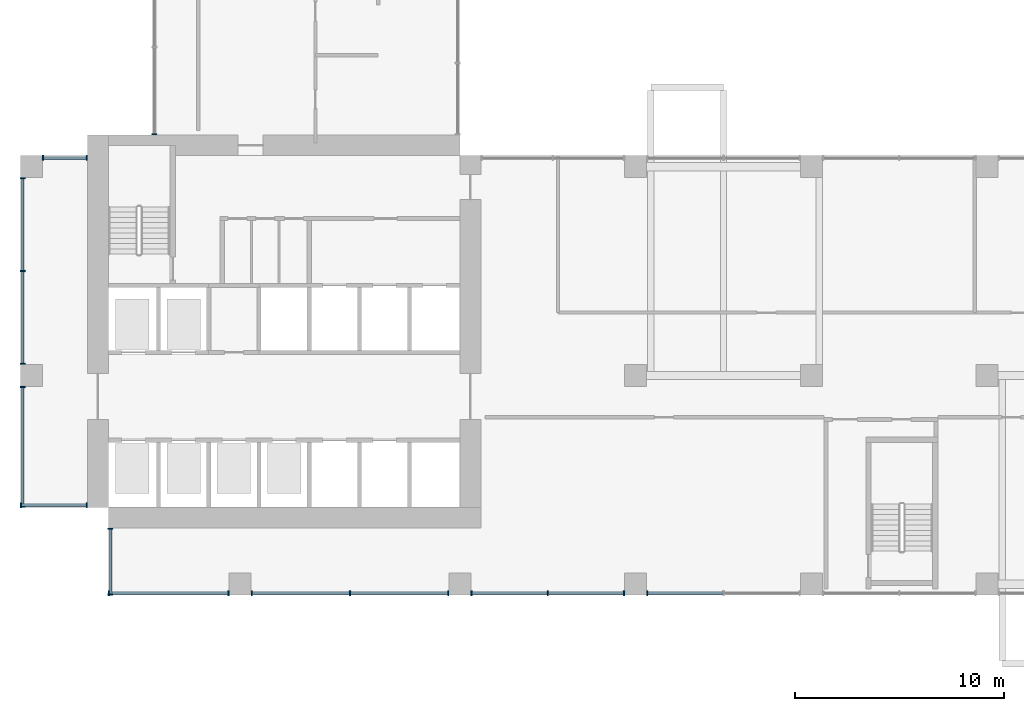
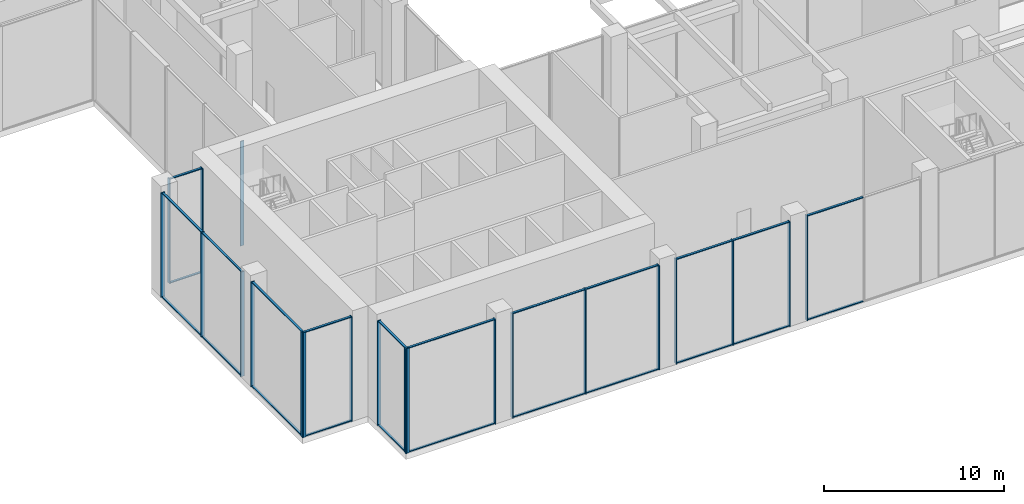
# One storey, part 2 of 18: 45 members, 10 elements without a shape of their own.
"""IFC4 building model written with IfcOpenShell, lengths in metres."""

from ifc_helpers import new_model, si_unit, direction, frame, origin, origin_2d, place, context, subcontext, project, spatial, rectangle, extrude, source, transform, mapped, material, layer, layer_set, material_profile, profile_set, type_object, element, aggregate, save


model = new_model("IFC4")

# Units and contexts
model_context = context("Model", 3, precision=1e-05, world=origin(), true_north=direction((0.0, 1.0)))
body_context = subcontext(model_context, "Body", "Model", "MODEL_VIEW")
ifc_project = project(units=[si_unit("LENGTHUNIT", "METRE"), si_unit("AREAUNIT", "SQUARE_METRE"), si_unit("VOLUMEUNIT", "CUBIC_METRE"), si_unit("PLANEANGLEUNIT", "RADIAN"), si_unit("MASSUNIT", "GRAM", prefix="KILO")], contexts=[model_context])

# Site, building, storey
site_placement = place(None, origin())
site = spatial("IfcSite", under=ifc_project, at=site_placement, CompositionType="ELEMENT")
building_placement = place(site_placement, origin())
building = spatial("IfcBuilding", under=site, at=building_placement, Name="Aurelian Terraces", CompositionType="ELEMENT")
storey_placement = place(building_placement, frame((0.0, 0.0, 170.3)))
storey = spatial("IfcBuildingStorey", under=building, at=storey_placement, Name="L37", CompositionType="ELEMENT", Elevation=170.3)

# Curtain wall, members
ifc_material_1 = material(Name="Anodised aluminium and clear glazing", Category="aluminium")
ifc_layer = layer(ifc_material_1, 0.2)
ifc_layer_set = layer_set([ifc_layer], Name="Lobby glazing curtain wall")
curtain_wall_type = type_object("IfcCurtainWallType", Name="Lobby glazing curtain wall", PredefinedType="NOTDEFINED", material=ifc_layer_set)
curtain_wall_1_placement = place(storey_placement, origin())
curtain_wall_1 = element("IfcCurtainWall", 1, at=curtain_wall_1_placement, inside=storey, type_object=curtain_wall_type, Name="Lobby glazing L37 F01.1", PredefinedType="NOTDEFINED")
ifc_material_2 = material(Name="Anodised aluminium", Category="aluminium")
ifc_material_profile_1 = material_profile(ifc_material_2, rectangle(XDim=0.24, YDim=0.06, at=origin_2d()))
ifc_profile_set_1 = profile_set([ifc_material_profile_1], Name="Anodised aluminium")
member_type_1 = type_object("IfcMemberType", Name="Lobby glazing mullion", PredefinedType="MULLION", material=ifc_profile_set_1)
member_1_placement = place(storey_placement, frame((4.23, 0.1, 0.0), z_axis=(0.0, 0.0, 1.0), x_axis=(0.0, 1.0, 0.0)))
member_1 = element("IfcMember", 2, at=member_1_placement, type_object=member_type_1, Name="CW2 mullion 1", PredefinedType="MULLION", context=body_context, shape_type="SweptSolid", body=[
    extrude(rectangle(XDim=0.24, YDim=0.06, at=origin_2d()), origin(), (0.0, 0.0, 1.0), 7.1),
])
ifc_material_profile_2 = material_profile(ifc_material_2, rectangle(XDim=0.14, YDim=0.06, at=origin_2d()))
ifc_profile_set_2 = profile_set([ifc_material_profile_2], Name="Anodised aluminium")
member_type_2 = type_object("IfcMemberType", Name="Lobby glazing transom", PredefinedType="USERDEFINED", material=ifc_profile_set_2)
member_2_placement = place(storey_placement, frame((4.26, 0.1, 0.03), z_axis=(1.0, 0.0, 0.0), x_axis=(0.0, 1.0, 0.0)))
member_2 = element("IfcMember", 3, at=member_2_placement, type_object=member_type_2, Name="CW2 transom 1.1", ObjectType="TRANSOM", PredefinedType="USERDEFINED", context=body_context, shape_type="SweptSolid", body=[
    extrude(rectangle(XDim=0.14, YDim=0.06, at=origin_2d()), origin(), (0.0, 0.0, 1.0), 5.655),
])

# Curtain wall, member
curtain_wall_2_placement = place(storey_placement, origin())
curtain_wall_2 = element("IfcCurtainWall", 4, at=curtain_wall_2_placement, inside=storey, type_object=curtain_wall_type, Name="Lobby glazing L37 F01.2", PredefinedType="NOTDEFINED")
member_3_placement = place(storey_placement, frame((11.085, 0.1, 0.03), z_axis=(1.0, 0.0, 0.0), x_axis=(0.0, 1.0, 0.0)))
member_3 = element("IfcMember", 5, at=member_3_placement, type_object=member_type_2, Name="CW2 transom 1.1", ObjectType="TRANSOM", PredefinedType="USERDEFINED", context=body_context, shape_type="SweptSolid", body=[
    extrude(rectangle(XDim=0.14, YDim=0.06, at=origin_2d()), origin(), (0.0, 0.0, 1.0), 4.635),
])

curtain_wall_3_placement = place(storey_placement, origin())
curtain_wall_3 = element("IfcCurtainWall", 6, at=curtain_wall_3_placement, inside=storey, type_object=curtain_wall_type, Name="Lobby glazing L37 F01.3", PredefinedType="NOTDEFINED")
member_4_placement = place(storey_placement, frame((21.585, 0.1, 0.03), z_axis=(1.0, 0.0, 0.0), x_axis=(0.0, 1.0, 0.0)))
member_4 = element("IfcMember", 7, at=member_4_placement, type_object=member_type_2, Name="CW2 transom 1.1", ObjectType="TRANSOM", PredefinedType="USERDEFINED", context=body_context, shape_type="SweptSolid", body=[
    extrude(rectangle(XDim=0.14, YDim=0.06, at=origin_2d()), origin(), (0.0, 0.0, 1.0), 3.585),
])

curtain_wall_4_placement = place(storey_placement, origin())
curtain_wall_4 = element("IfcCurtainWall", 8, at=curtain_wall_4_placement, inside=storey, type_object=curtain_wall_type, Name="Lobby glazing L37 F21.1", PredefinedType="NOTDEFINED")
member_5_placement = place(storey_placement, frame((3.14, 20.9, 0.03), z_axis=(-1.0, 0.0, 0.0), x_axis=(0.0, -1.0, 0.0)))
member_5 = element("IfcMember", 9, at=member_5_placement, type_object=member_type_2, Name="CW2 transom 1.1", ObjectType="TRANSOM", PredefinedType="USERDEFINED", context=body_context, shape_type="SweptSolid", body=[
    extrude(rectangle(XDim=0.14, YDim=0.06, at=origin_2d()), origin(), (0.0, 0.0, 1.0), 2.03),
])

curtain_wall_5_placement = place(storey_placement, origin())
curtain_wall_5 = element("IfcCurtainWall", 10, at=curtain_wall_5_placement, inside=storey, type_object=curtain_wall_type, Name="Lobby glazing L37 F22.1", PredefinedType="NOTDEFINED")
member_6_placement = place(storey_placement, frame((0.1, 19.89, 0.03), z_axis=(0.0, -1.0, 0.0), x_axis=(1.0, 0.0, 0.0)))
member_6 = element("IfcMember", 11, at=member_6_placement, type_object=member_type_2, Name="CW2 transom 1.1", ObjectType="TRANSOM", PredefinedType="USERDEFINED", context=body_context, shape_type="SweptSolid", body=[
    extrude(rectangle(XDim=0.14, YDim=0.06, at=origin_2d()), origin(), (0.0, 0.0, 1.0), 4.3725),
])

curtain_wall_6_placement = place(storey_placement, origin())
curtain_wall_6 = element("IfcCurtainWall", 12, at=curtain_wall_6_placement, inside=storey, type_object=curtain_wall_type, Name="Lobby glazing L37 F23.1", PredefinedType="NOTDEFINED")
member_7_placement = place(storey_placement, frame((0.06, 4.3, 0.03), z_axis=(1.0, 0.0, 0.0), x_axis=(0.0, 1.0, 0.0)))
member_7 = element("IfcMember", 13, at=member_7_placement, type_object=member_type_2, Name="CW2 transom 1.1", ObjectType="TRANSOM", PredefinedType="USERDEFINED", context=body_context, shape_type="SweptSolid", body=[
    extrude(rectangle(XDim=0.14, YDim=0.06, at=origin_2d()), origin(), (0.0, 0.0, 1.0), 3.08),
])

# Member
shared_shape_1 = source(origin(), body_context, "Body", "SweptSolid", [
    extrude(rectangle(XDim=0.24, YDim=0.06, at=origin_2d()), origin(), (0.0, 0.0, 1.0), 7.1),
])
member_8_placement = place(storey_placement, frame((9.945, 0.1, 0.0), z_axis=(0.0, 0.0, 1.0), x_axis=(0.0, 1.0, 0.0)))
member_8 = element("IfcMember", 14, at=member_8_placement, type_object=member_type_1, Name="CW2 mullion 2", PredefinedType="MULLION", context=body_context, shape_type="MappedRepresentation", body=[
    mapped(shared_shape_1, transform((0.0, 0.0, 0.0), scale=1.0)),
])

member_9_placement = place(storey_placement, frame((11.055, 0.1, 0.0), z_axis=(0.0, 0.0, 1.0), x_axis=(0.0, 1.0, 0.0)))
member_9 = element("IfcMember", 15, at=member_9_placement, type_object=member_type_1, Name="CW2 mullion 1", PredefinedType="MULLION", context=body_context, shape_type="MappedRepresentation", body=[
    mapped(shared_shape_1, transform((0.0, 0.0, 0.0), scale=1.0)),
])

member_10_placement = place(storey_placement, frame((15.75, 0.1, 0.0), z_axis=(0.0, 0.0, 1.0), x_axis=(0.0, 1.0, 0.0)))
member_10 = element("IfcMember", 16, at=member_10_placement, type_object=member_type_1, Name="CW2 mullion 2", PredefinedType="MULLION", context=body_context, shape_type="MappedRepresentation", body=[
    mapped(shared_shape_1, transform((0.0, 0.0, 0.0), scale=1.0)),
])

member_11_placement = place(storey_placement, frame((20.445, 0.1, 0.0), z_axis=(0.0, 0.0, 1.0), x_axis=(0.0, 1.0, 0.0)))
member_11 = element("IfcMember", 17, at=member_11_placement, type_object=member_type_1, Name="CW2 mullion 3", PredefinedType="MULLION", context=body_context, shape_type="MappedRepresentation", body=[
    mapped(shared_shape_1, transform((0.0, 0.0, 0.0), scale=1.0)),
])

member_12_placement = place(storey_placement, frame((21.555, 0.1, 0.0), z_axis=(0.0, 0.0, 1.0), x_axis=(0.0, 1.0, 0.0)))
member_12 = element("IfcMember", 18, at=member_12_placement, type_object=member_type_1, Name="CW2 mullion 1", PredefinedType="MULLION", context=body_context, shape_type="MappedRepresentation", body=[
    mapped(shared_shape_1, transform((0.0, 0.0, 0.0), scale=1.0)),
])

member_13_placement = place(storey_placement, frame((25.2, 0.1, 0.0), z_axis=(0.0, 0.0, 1.0), x_axis=(0.0, 1.0, 0.0)))
member_13 = element("IfcMember", 19, at=member_13_placement, type_object=member_type_1, Name="CW2 mullion 2", PredefinedType="MULLION", context=body_context, shape_type="MappedRepresentation", body=[
    mapped(shared_shape_1, transform((0.0, 0.0, 0.0), scale=1.0)),
])

member_14_placement = place(storey_placement, frame((28.845, 0.1, 0.0), z_axis=(0.0, 0.0, 1.0), x_axis=(0.0, 1.0, 0.0)))
member_14 = element("IfcMember", 20, at=member_14_placement, type_object=member_type_1, Name="CW2 mullion 3", PredefinedType="MULLION", context=body_context, shape_type="MappedRepresentation", body=[
    mapped(shared_shape_1, transform((0.0, 0.0, 0.0), scale=1.0)),
])

# Curtain wall, member
curtain_wall_7_placement = place(storey_placement, origin())
curtain_wall_7 = element("IfcCurtainWall", 21, at=curtain_wall_7_placement, inside=storey, type_object=curtain_wall_type, Name="Lobby glazing L37 F01.4", PredefinedType="NOTDEFINED")
member_15_placement = place(storey_placement, frame((29.955, 0.1, 0.0), z_axis=(0.0, 0.0, 1.0), x_axis=(0.0, 1.0, 0.0)))
member_15 = element("IfcMember", 22, at=member_15_placement, type_object=member_type_1, Name="CW2 mullion 1", PredefinedType="MULLION", context=body_context, shape_type="MappedRepresentation", body=[
    mapped(shared_shape_1, transform((0.0, 0.0, 0.0), scale=1.0)),
])

curtain_wall_8_placement = place(storey_placement, origin())
curtain_wall_8 = element("IfcCurtainWall", 23, at=curtain_wall_8_placement, inside=storey, type_object=curtain_wall_type, Name="Lobby glazing L37 F18.3", PredefinedType="NOTDEFINED")
member_16_placement = place(storey_placement, frame((6.4, 22.03, 0.0), z_axis=(0.0, 0.0, 1.0), x_axis=(1.0, 0.0, 0.0)))
member_16 = element("IfcMember", 24, at=member_16_placement, type_object=member_type_1, Name="CW2 mullion 3", PredefinedType="MULLION", context=body_context, shape_type="MappedRepresentation", body=[
    mapped(shared_shape_1, transform((0.0, 0.0, 0.0), scale=1.0)),
])
aggregate(curtain_wall_8, [member_16])

# Member
member_17_placement = place(storey_placement, frame((3.17, 20.9, 0.0), z_axis=(0.0, 0.0, 1.0), x_axis=(0.0, -1.0, 0.0)))
member_17 = element("IfcMember", 25, at=member_17_placement, type_object=member_type_1, Name="CW2 mullion 1", PredefinedType="MULLION", context=body_context, shape_type="MappedRepresentation", body=[
    mapped(shared_shape_1, transform((0.0, 0.0, 0.0), scale=1.0)),
])

member_18_placement = place(storey_placement, frame((1.08, 20.9, 0.0), z_axis=(0.0, 0.0, 1.0), x_axis=(0.0, -1.0, 0.0)))
member_18 = element("IfcMember", 26, at=member_18_placement, type_object=member_type_1, Name="CW2 mullion 2", PredefinedType="MULLION", context=body_context, shape_type="MappedRepresentation", body=[
    mapped(shared_shape_1, transform((0.0, 0.0, 0.0), scale=1.0)),
])

member_19_placement = place(storey_placement, frame((0.1, 19.92, 0.0), z_axis=(0.0, 0.0, 1.0), x_axis=(1.0, 0.0, 0.0)))
member_19 = element("IfcMember", 27, at=member_19_placement, type_object=member_type_1, Name="CW2 mullion 1", PredefinedType="MULLION", context=body_context, shape_type="MappedRepresentation", body=[
    mapped(shared_shape_1, transform((0.0, 0.0, 0.0), scale=1.0)),
])

member_20_placement = place(storey_placement, frame((0.1, 15.4875, 0.0), z_axis=(0.0, 0.0, 1.0), x_axis=(1.0, 0.0, 0.0)))
member_20 = element("IfcMember", 28, at=member_20_placement, type_object=member_type_1, Name="CW2 mullion 2", PredefinedType="MULLION", context=body_context, shape_type="MappedRepresentation", body=[
    mapped(shared_shape_1, transform((0.0, 0.0, 0.0), scale=1.0)),
])

member_21_placement = place(storey_placement, frame((0.1, 11.055, 0.0), z_axis=(0.0, 0.0, 1.0), x_axis=(1.0, 0.0, 0.0)))
member_21 = element("IfcMember", 29, at=member_21_placement, type_object=member_type_1, Name="CW2 mullion 3", PredefinedType="MULLION", context=body_context, shape_type="MappedRepresentation", body=[
    mapped(shared_shape_1, transform((0.0, 0.0, 0.0), scale=1.0)),
])

# Curtain wall, members
curtain_wall_9_placement = place(storey_placement, origin())
curtain_wall_9 = element("IfcCurtainWall", 30, at=curtain_wall_9_placement, inside=storey, type_object=curtain_wall_type, Name="Lobby glazing L37 F22.2", PredefinedType="NOTDEFINED")
member_22_placement = place(storey_placement, frame((0.1, 9.945, 0.0), z_axis=(0.0, 0.0, 1.0), x_axis=(1.0, 0.0, 0.0)))
member_22 = element("IfcMember", 31, at=member_22_placement, type_object=member_type_1, Name="CW2 mullion 1", PredefinedType="MULLION", context=body_context, shape_type="MappedRepresentation", body=[
    mapped(shared_shape_1, transform((0.0, 0.0, 0.0), scale=1.0)),
])
member_23_placement = place(storey_placement, frame((0.1, 4.23, 0.0), z_axis=(0.0, 0.0, 1.0), x_axis=(1.0, 0.0, 0.0)))
member_23 = element("IfcMember", 32, at=member_23_placement, type_object=member_type_1, Name="CW2 mullion 2", PredefinedType="MULLION", context=body_context, shape_type="MappedRepresentation", body=[
    mapped(shared_shape_1, transform((0.0, 0.0, 0.0), scale=1.0)),
])

# Member
member_24_placement = place(storey_placement, frame((0.03, 4.3, 0.0), z_axis=(0.0, 0.0, 1.0), x_axis=(0.0, 1.0, 0.0)))
member_24 = element("IfcMember", 33, at=member_24_placement, type_object=member_type_1, Name="CW2 mullion 1", PredefinedType="MULLION", context=body_context, shape_type="MappedRepresentation", body=[
    mapped(shared_shape_1, transform((0.0, 0.0, 0.0), scale=1.0)),
])

member_25_placement = place(storey_placement, frame((3.17, 4.3, 0.0), z_axis=(0.0, 0.0, 1.0), x_axis=(0.0, 1.0, 0.0)))
member_25 = element("IfcMember", 34, at=member_25_placement, type_object=member_type_1, Name="CW2 mullion 2", PredefinedType="MULLION", context=body_context, shape_type="MappedRepresentation", body=[
    mapped(shared_shape_1, transform((0.0, 0.0, 0.0), scale=1.0)),
])

# Curtain wall, members
curtain_wall_10_placement = place(storey_placement, origin())
curtain_wall_10 = element("IfcCurtainWall", 35, at=curtain_wall_10_placement, inside=storey, type_object=curtain_wall_type, Name="Lobby glazing L37 F24.1", PredefinedType="NOTDEFINED")
member_26_placement = place(storey_placement, frame((4.3, 3.17, 0.0), z_axis=(0.0, 0.0, 1.0), x_axis=(1.0, 0.0, 0.0)))
member_26 = element("IfcMember", 36, at=member_26_placement, type_object=member_type_1, Name="CW2 mullion 1", PredefinedType="MULLION", context=body_context, shape_type="MappedRepresentation", body=[
    mapped(shared_shape_1, transform((0.0, 0.0, 0.0), scale=1.0)),
])
member_27_placement = place(storey_placement, frame((4.3, 0.03, 0.0), z_axis=(0.0, 0.0, 1.0), x_axis=(1.0, 0.0, 0.0)))
member_27 = element("IfcMember", 37, at=member_27_placement, type_object=member_type_1, Name="CW2 mullion 2", PredefinedType="MULLION", context=body_context, shape_type="MappedRepresentation", body=[
    mapped(shared_shape_1, transform((0.0, 0.0, 0.0), scale=1.0)),
])

# Member
shared_shape_2 = source(origin(), body_context, "Body", "SweptSolid", [
    extrude(rectangle(XDim=0.14, YDim=0.06, at=origin_2d()), origin(), (0.0, 0.0, 1.0), 5.655),
])
member_28_placement = place(storey_placement, frame((4.26, 0.1, 7.07), z_axis=(1.0, 0.0, 0.0), x_axis=(0.0, 1.0, 0.0)))
member_28 = element("IfcMember", 38, at=member_28_placement, type_object=member_type_2, Name="CW2 transom 1.2", ObjectType="TRANSOM", PredefinedType="USERDEFINED", context=body_context, shape_type="MappedRepresentation", body=[
    mapped(shared_shape_2, transform((0.0, 0.0, 0.0), scale=1.0)),
])

aggregate(curtain_wall_1, [member_1, member_8, member_2, member_28])

member_29_placement = place(storey_placement, frame((0.1, 9.915, 0.03), z_axis=(0.0, -1.0, 0.0), x_axis=(1.0, 0.0, 0.0)))
member_29 = element("IfcMember", 39, at=member_29_placement, type_object=member_type_2, Name="CW2 transom 1.1", ObjectType="TRANSOM", PredefinedType="USERDEFINED", context=body_context, shape_type="MappedRepresentation", body=[
    mapped(shared_shape_2, transform((0.0, 0.0, 0.0), scale=1.0)),
])

member_30_placement = place(storey_placement, frame((0.1, 9.915, 7.07), z_axis=(0.0, -1.0, 0.0), x_axis=(1.0, 0.0, 0.0)))
member_30 = element("IfcMember", 40, at=member_30_placement, type_object=member_type_2, Name="CW2 transom 1.2", ObjectType="TRANSOM", PredefinedType="USERDEFINED", context=body_context, shape_type="MappedRepresentation", body=[
    mapped(shared_shape_2, transform((0.0, 0.0, 0.0), scale=1.0)),
])

aggregate(curtain_wall_9, [member_22, member_23, member_29, member_30])

shared_shape_3 = source(origin(), body_context, "Body", "SweptSolid", [
    extrude(rectangle(XDim=0.14, YDim=0.06, at=origin_2d()), origin(), (0.0, 0.0, 1.0), 4.635),
])
member_31_placement = place(storey_placement, frame((11.085, 0.1, 7.07), z_axis=(1.0, 0.0, 0.0), x_axis=(0.0, 1.0, 0.0)))
member_31 = element("IfcMember", 41, at=member_31_placement, type_object=member_type_2, Name="CW2 transom 1.2", ObjectType="TRANSOM", PredefinedType="USERDEFINED", context=body_context, shape_type="MappedRepresentation", body=[
    mapped(shared_shape_3, transform((0.0, 0.0, 0.0), scale=1.0)),
])

member_32_placement = place(storey_placement, frame((15.78, 0.1, 0.03), z_axis=(1.0, 0.0, 0.0), x_axis=(0.0, 1.0, 0.0)))
member_32 = element("IfcMember", 42, at=member_32_placement, type_object=member_type_2, Name="CW2 transom 2.1", ObjectType="TRANSOM", PredefinedType="USERDEFINED", context=body_context, shape_type="MappedRepresentation", body=[
    mapped(shared_shape_3, transform((0.0, 0.0, 0.0), scale=1.0)),
])

member_33_placement = place(storey_placement, frame((15.78, 0.1, 7.07), z_axis=(1.0, 0.0, 0.0), x_axis=(0.0, 1.0, 0.0)))
member_33 = element("IfcMember", 43, at=member_33_placement, type_object=member_type_2, Name="CW2 transom 2.2", ObjectType="TRANSOM", PredefinedType="USERDEFINED", context=body_context, shape_type="MappedRepresentation", body=[
    mapped(shared_shape_3, transform((0.0, 0.0, 0.0), scale=1.0)),
])

aggregate(curtain_wall_2, [member_9, member_10, member_11, member_3, member_31, member_32, member_33])

shared_shape_4 = source(origin(), body_context, "Body", "SweptSolid", [
    extrude(rectangle(XDim=0.14, YDim=0.06, at=origin_2d()), origin(), (0.0, 0.0, 1.0), 3.585),
])
member_34_placement = place(storey_placement, frame((21.585, 0.1, 7.07), z_axis=(1.0, 0.0, 0.0), x_axis=(0.0, 1.0, 0.0)))
member_34 = element("IfcMember", 44, at=member_34_placement, type_object=member_type_2, Name="CW2 transom 1.2", ObjectType="TRANSOM", PredefinedType="USERDEFINED", context=body_context, shape_type="MappedRepresentation", body=[
    mapped(shared_shape_4, transform((0.0, 0.0, 0.0), scale=1.0)),
])

member_35_placement = place(storey_placement, frame((25.23, 0.1, 0.03), z_axis=(1.0, 0.0, 0.0), x_axis=(0.0, 1.0, 0.0)))
member_35 = element("IfcMember", 45, at=member_35_placement, type_object=member_type_2, Name="CW2 transom 2.1", ObjectType="TRANSOM", PredefinedType="USERDEFINED", context=body_context, shape_type="MappedRepresentation", body=[
    mapped(shared_shape_4, transform((0.0, 0.0, 0.0), scale=1.0)),
])

member_36_placement = place(storey_placement, frame((25.23, 0.1, 7.07), z_axis=(1.0, 0.0, 0.0), x_axis=(0.0, 1.0, 0.0)))
member_36 = element("IfcMember", 46, at=member_36_placement, type_object=member_type_2, Name="CW2 transom 2.2", ObjectType="TRANSOM", PredefinedType="USERDEFINED", context=body_context, shape_type="MappedRepresentation", body=[
    mapped(shared_shape_4, transform((0.0, 0.0, 0.0), scale=1.0)),
])

aggregate(curtain_wall_3, [member_12, member_13, member_14, member_4, member_34, member_35, member_36])

member_37_placement = place(storey_placement, frame((29.985, 0.1, 0.03), z_axis=(1.0, 0.0, 0.0), x_axis=(0.0, 1.0, 0.0)))
member_37 = element("IfcMember", 47, at=member_37_placement, type_object=member_type_2, Name="CW2 transom 1.1", ObjectType="TRANSOM", PredefinedType="USERDEFINED", context=body_context, shape_type="MappedRepresentation", body=[
    mapped(shared_shape_4, transform((0.0, 0.0, 0.0), scale=1.0)),
])

member_38_placement = place(storey_placement, frame((29.985, 0.1, 7.07), z_axis=(1.0, 0.0, 0.0), x_axis=(0.0, 1.0, 0.0)))
member_38 = element("IfcMember", 48, at=member_38_placement, type_object=member_type_2, Name="CW2 transom 1.2", ObjectType="TRANSOM", PredefinedType="USERDEFINED", context=body_context, shape_type="MappedRepresentation", body=[
    mapped(shared_shape_4, transform((0.0, 0.0, 0.0), scale=1.0)),
])

aggregate(curtain_wall_7, [member_15, member_37, member_38])

shared_shape_5 = source(origin(), body_context, "Body", "SweptSolid", [
    extrude(rectangle(XDim=0.14, YDim=0.06, at=origin_2d()), origin(), (0.0, 0.0, 1.0), 2.03),
])
member_39_placement = place(storey_placement, frame((3.14, 20.9, 7.07), z_axis=(-1.0, 0.0, 0.0), x_axis=(0.0, -1.0, 0.0)))
member_39 = element("IfcMember", 49, at=member_39_placement, type_object=member_type_2, Name="CW2 transom 1.2", ObjectType="TRANSOM", PredefinedType="USERDEFINED", context=body_context, shape_type="MappedRepresentation", body=[
    mapped(shared_shape_5, transform((0.0, 0.0, 0.0), scale=1.0)),
])

aggregate(curtain_wall_4, [member_17, member_18, member_5, member_39])

shared_shape_6 = source(origin(), body_context, "Body", "SweptSolid", [
    extrude(rectangle(XDim=0.14, YDim=0.06, at=origin_2d()), origin(), (0.0, 0.0, 1.0), 4.3725),
])
member_40_placement = place(storey_placement, frame((0.1, 19.89, 7.07), z_axis=(0.0, -1.0, 0.0), x_axis=(1.0, 0.0, 0.0)))
member_40 = element("IfcMember", 50, at=member_40_placement, type_object=member_type_2, Name="CW2 transom 1.2", ObjectType="TRANSOM", PredefinedType="USERDEFINED", context=body_context, shape_type="MappedRepresentation", body=[
    mapped(shared_shape_6, transform((0.0, 0.0, 0.0), scale=1.0)),
])

member_41_placement = place(storey_placement, frame((0.1, 15.4575, 0.03), z_axis=(0.0, -1.0, 0.0), x_axis=(1.0, 0.0, 0.0)))
member_41 = element("IfcMember", 51, at=member_41_placement, type_object=member_type_2, Name="CW2 transom 2.1", ObjectType="TRANSOM", PredefinedType="USERDEFINED", context=body_context, shape_type="MappedRepresentation", body=[
    mapped(shared_shape_6, transform((0.0, 0.0, 0.0), scale=1.0)),
])

member_42_placement = place(storey_placement, frame((0.1, 15.4575, 7.07), z_axis=(0.0, -1.0, 0.0), x_axis=(1.0, 0.0, 0.0)))
member_42 = element("IfcMember", 52, at=member_42_placement, type_object=member_type_2, Name="CW2 transom 2.2", ObjectType="TRANSOM", PredefinedType="USERDEFINED", context=body_context, shape_type="MappedRepresentation", body=[
    mapped(shared_shape_6, transform((0.0, 0.0, 0.0), scale=1.0)),
])

aggregate(curtain_wall_5, [member_19, member_20, member_21, member_6, member_40, member_41, member_42])

shared_shape_7 = source(origin(), body_context, "Body", "SweptSolid", [
    extrude(rectangle(XDim=0.14, YDim=0.06, at=origin_2d()), origin(), (0.0, 0.0, 1.0), 3.08),
])
member_43_placement = place(storey_placement, frame((0.06, 4.3, 7.07), z_axis=(1.0, 0.0, 0.0), x_axis=(0.0, 1.0, 0.0)))
member_43 = element("IfcMember", 53, at=member_43_placement, type_object=member_type_2, Name="CW2 transom 1.2", ObjectType="TRANSOM", PredefinedType="USERDEFINED", context=body_context, shape_type="MappedRepresentation", body=[
    mapped(shared_shape_7, transform((0.0, 0.0, 0.0), scale=1.0)),
])

aggregate(curtain_wall_6, [member_24, member_25, member_7, member_43])

member_44_placement = place(storey_placement, frame((4.3, 3.14, 0.03), z_axis=(0.0, -1.0, 0.0), x_axis=(1.0, 0.0, 0.0)))
member_44 = element("IfcMember", 54, at=member_44_placement, type_object=member_type_2, Name="CW2 transom 1.1", ObjectType="TRANSOM", PredefinedType="USERDEFINED", context=body_context, shape_type="MappedRepresentation", body=[
    mapped(shared_shape_7, transform((0.0, 0.0, 0.0), scale=1.0)),
])

member_45_placement = place(storey_placement, frame((4.3, 3.14, 7.07), z_axis=(0.0, -1.0, 0.0), x_axis=(1.0, 0.0, 0.0)))
member_45 = element("IfcMember", 55, at=member_45_placement, type_object=member_type_2, Name="CW2 transom 1.2", ObjectType="TRANSOM", PredefinedType="USERDEFINED", context=body_context, shape_type="MappedRepresentation", body=[
    mapped(shared_shape_7, transform((0.0, 0.0, 0.0), scale=1.0)),
])

aggregate(curtain_wall_10, [member_26, member_27, member_44, member_45])

save(model, "model.ifc")
